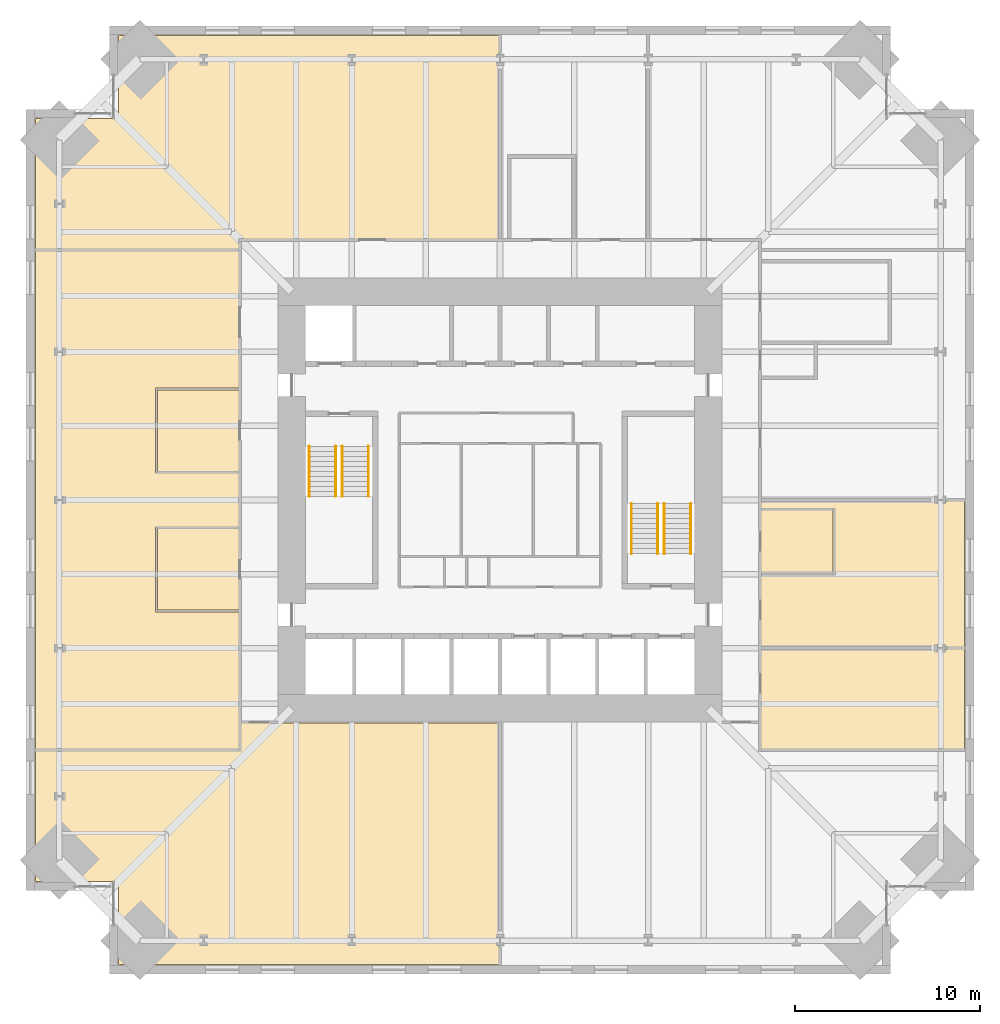
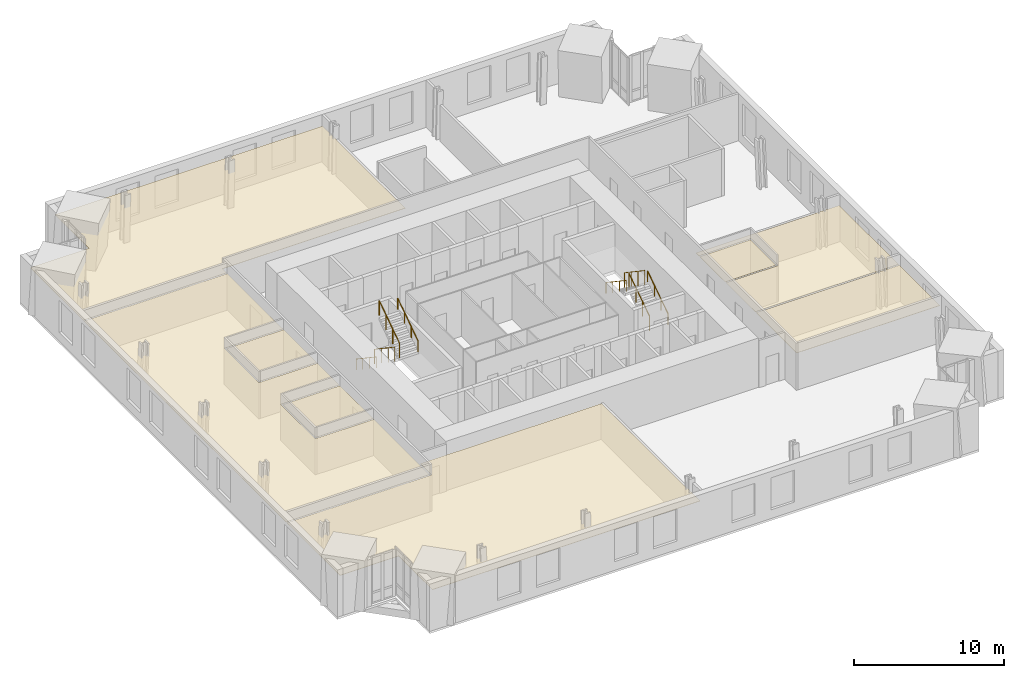
# One storey, part 18 of 18: 8 coverings, 8 railings.
"""IFC4 building model written with IfcOpenShell, lengths in metres."""

from ifc_helpers import new_model, si_unit, direction, frame, origin, origin_2d, place, context, subcontext, project, spatial, polyline, circle, outline, extrude, material, layer, layer_set, type_object, element, save


model = new_model("IFC4")

# Units and contexts
model_context = context("Model", 3, precision=1e-05, world=origin(), true_north=direction((0.0, 1.0)))
body_context = subcontext(model_context, "Body", "Model", "MODEL_VIEW")
ifc_project = project(units=[si_unit("LENGTHUNIT", "METRE"), si_unit("AREAUNIT", "SQUARE_METRE"), si_unit("VOLUMEUNIT", "CUBIC_METRE"), si_unit("PLANEANGLEUNIT", "RADIAN"), si_unit("MASSUNIT", "GRAM", prefix="KILO")], contexts=[model_context])

# Site, building, storey
site_placement = place(None, origin())
site = spatial("IfcSite", under=ifc_project, at=site_placement, CompositionType="ELEMENT")
building_placement = place(site_placement, origin())
building = spatial("IfcBuilding", under=site, at=building_placement, Name="Peilmerk Tower", CompositionType="ELEMENT")
storey_placement = place(building_placement, frame((0.0, 0.0, 175.800048828125)))
storey = spatial("IfcBuildingStorey", under=building, at=storey_placement, Name="L37", CompositionType="ELEMENT", Elevation=175.800048828125)

# Coverings
ifc_material_1 = material(Name="Mineral fibre ceiling tiles", Category="mineral")
ifc_layer = layer(ifc_material_1, 0.02490234375)
ifc_layer_set = layer_set([ifc_layer], Name="Mineral fibre ceiling tiles")
covering_type = type_object("IfcCoveringType", Name="CL1 25 suspended ceiling", PredefinedType="CEILING", material=ifc_layer_set)
covering_1_placement = place(storey_placement, frame((0.0, 0.0, 2.905029296875)))
element("IfcCovering", 1, at=covering_1_placement, inside=storey, type_object=covering_type, Name="Suspended ceiling Fitness room", PredefinedType="CEILING", context=body_context, shape_type="SweptSolid", body=[
    extrude(outline(polyline([(-25.10009765625, 20.60009765625), (-25.10009765625, 13.550048828125), (-14.10009765625, 13.550048828125), (-14.10009765625, 14.10009765625), (-0.050048828125, 14.10009765625), (-0.050048828125, 25.10009765625), (-20.60009765625, 25.10009765625), (-20.60009765625, 20.60009765625), (-25.10009765625, 20.60009765625)])), origin(), (0.0, 0.0, 1.0), 0.02490234375),
])
covering_2_placement = place(storey_placement, frame((0.0, 0.0, 2.905029296875)))
element("IfcCovering", 2, at=covering_2_placement, inside=storey, type_object=covering_type, Name="Suspended ceiling Library", PredefinedType="CEILING", context=body_context, shape_type="SweptSolid", body=[
    extrude(outline(polyline([(-20.60009765625, -25.10009765625), (-0.050048828125, -25.10009765625), (-0.050048828125, -12.050048828125), (-14.0, -12.050048828125), (-14.0, -13.550048828125), (-25.10009765625, -13.550048828125), (-25.10009765625, -20.60009765625), (-20.60009765625, -20.60009765625), (-20.60009765625, -25.10009765625)])), origin(), (0.0, 0.0, 1.0), 0.02490234375),
])
covering_3_placement = place(storey_placement, frame((0.0, 0.0, 2.905029296875)))
element("IfcCovering", 3, at=covering_3_placement, inside=storey, type_object=covering_type, Name="Suspended ceiling Wellness room", PredefinedType="CEILING", context=body_context, shape_type="SweptSolid", body=[
    extrude(outline(polyline([(25.10009765625, -13.449951171875), (25.10009765625, -8.050048828125), (14.10009765625, -8.050048828125), (14.10009765625, -13.449951171875), (25.10009765625, -13.449951171875)])), origin(), (0.0, 0.0, 1.0), 0.02490234375),
])
covering_4_placement = place(storey_placement, frame((0.0, 0.0, 2.905029296875)))
element("IfcCovering", 4, at=covering_4_placement, inside=storey, type_object=covering_type, Name="Suspended ceiling Quiet room", PredefinedType="CEILING", context=body_context, shape_type="SweptSolid", body=[
    extrude(outline(polyline([(14.10009765625, -7.949951171875), (25.10009765625, -7.949951171875), (25.10009765625, -0.050048828125), (14.10009765625, -0.050048828125), (14.10009765625, -0.449951171875), (18.10009765625, -0.449951171875), (18.10009765625, -4.050048828125), (14.10009765625, -4.050048828125), (14.10009765625, -7.949951171875)])), origin(), (0.0, 0.0, 1.0), 0.02490234375),
])
covering_5_placement = place(storey_placement, frame((0.0, 0.0, 2.905029296875)))
element("IfcCovering", 5, at=covering_5_placement, inside=storey, type_object=covering_type, Name="Suspended ceiling Pantry", PredefinedType="CEILING", context=body_context, shape_type="SweptSolid", body=[
    extrude(outline(polyline([(18.0, -3.949951171875), (18.0, -0.550048828125), (14.10009765625, -0.550048828125), (14.10009765625, -3.949951171875), (18.0, -3.949951171875)])), origin(), (0.0, 0.0, 1.0), 0.02490234375),
])
covering_6_placement = place(storey_placement, frame((0.0, 0.0, 2.905029296875)))
element("IfcCovering", 6, at=covering_6_placement, inside=storey, type_object=covering_type, Name="Suspended ceiling Open workspace", PredefinedType="CEILING", context=body_context, shape_type="SweptSolid", body=[
    extrude(outline(polyline([(-14.10009765625, 13.449951171875), (-25.10009765625, 13.449951171875), (-25.10009765625, -13.449951171875), (-14.10009765625, -13.449951171875), (-14.10009765625, -6.050048828125), (-18.60009765625, -6.050048828125), (-18.60009765625, -1.449951171875), (-14.10009765625, -1.449951171875), (-14.10009765625, 1.449951171875), (-18.60009765625, 1.449951171875), (-18.60009765625, 6.050048828125), (-14.10009765625, 6.050048828125), (-14.10009765625, 13.449951171875)])), origin(), (0.0, 0.0, 1.0), 0.02490234375),
])
covering_7_placement = place(storey_placement, frame((0.0, 0.0, 2.905029296875)))
element("IfcCovering", 7, at=covering_7_placement, inside=storey, type_object=covering_type, Name="Suspended ceiling Meeting room", PredefinedType="CEILING", context=body_context, shape_type="SweptSolid", body=[
    extrude(outline(polyline([(-14.10009765625, -5.949951171875), (-14.10009765625, -1.550048828125), (-18.5, -1.550048828125), (-18.5, -5.949951171875), (-14.10009765625, -5.949951171875)])), origin(), (0.0, 0.0, 1.0), 0.02490234375),
])
covering_8_placement = place(storey_placement, frame((0.0, 0.0, 2.905029296875)))
element("IfcCovering", 8, at=covering_8_placement, inside=storey, type_object=covering_type, Name="Suspended ceiling Focus room", PredefinedType="CEILING", context=body_context, shape_type="SweptSolid", body=[
    extrude(outline(polyline([(-14.10009765625, 1.550048828125), (-14.10009765625, 5.949951171875), (-18.5, 5.949951171875), (-18.5, 1.550048828125), (-14.10009765625, 1.550048828125)])), origin(), (0.0, 0.0, 1.0), 0.02490234375),
])

# Railings
ifc_material_2 = material(Name="Steel flat bar balustrade", Category="steel")
railing_type_1 = type_object("IfcRailingType", Name="GR1 1200 stair guard", PredefinedType="GUARDRAIL", material=ifc_material_2)
railing_1_placement = place(storey_placement, frame((-8.8798828125, 2.89990234375, 0.181884765625)))
element("IfcRailing", 9, at=railing_1_placement, inside=storey, type_object=railing_type_1, Name="Guard stair 1 L37", PredefinedType="GUARDRAIL", context=body_context, shape_type="SweptSolid", body=[
    extrude(circle(Radius=0.02392578125, at=origin_2d()), frame((0.0, 0.0, 1.17578125), z_axis=(0.0, -0.829468130872, 0.55855404382), x_axis=(1.0, 0.0, 0.0)), (0.0, 0.0, 1.0), 3.255126953125),
    extrude(circle(Radius=0.02099609375, at=origin_2d()), origin(), (0.0, 0.0, 1.0), 1.15185546875),
    extrude(circle(Radius=0.02099609375, at=origin_2d()), frame((0.0, -0.89990234375, 0.60595703125)), (0.0, 0.0, 1.0), 1.15185546875),
    extrude(circle(Radius=0.02099609375, at=origin_2d()), frame((0.0, -1.800048828125, 1.212158203125)), (0.0, 0.0, 1.0), 1.15185546875),
    extrude(circle(Radius=0.02099609375, at=origin_2d()), frame((0.0, -2.699951171875, 1.818115234375)), (0.0, 0.0, 1.0), 1.15185546875),
])
for number, where, name in (
    (10, (-8.52001953125, 0.199951171875, 2.181884765625), "Guard stair 1 L37"),
    (11, (8.8798828125, -2.89990234375, 0.181884765625), "Guard stair 2 L37"),
):
    element("IfcRailing", number, at=place(storey_placement, frame(where)), inside=storey, type_object=railing_type_1, Name=name, PredefinedType="GUARDRAIL", context=body_context, shape_type="SweptSolid", body=[
        extrude(circle(Radius=0.02392578125, at=origin_2d()), frame((0.0, 0.0, 1.17578125), z_axis=(0.0, 0.829468130872, 0.55855404382), x_axis=(-1.0, 0.0, 0.0)), (0.0, 0.0, 1.0), 3.255126953125),
        extrude(circle(Radius=0.02099609375, at=origin_2d()), origin(), (0.0, 0.0, 1.0), 1.15185546875),
        extrude(circle(Radius=0.02099609375, at=origin_2d()), frame((0.0, 0.89990234375, 0.60595703125)), (0.0, 0.0, 1.0), 1.15185546875),
        extrude(circle(Radius=0.02099609375, at=origin_2d()), frame((0.0, 1.800048828125, 1.212158203125)), (0.0, 0.0, 1.0), 1.15185546875),
        extrude(circle(Radius=0.02099609375, at=origin_2d()), frame((0.0, 2.699951171875, 1.818115234375)), (0.0, 0.0, 1.0), 1.15185546875),
    ])
railing_2_placement = place(storey_placement, frame((8.52001953125, -0.199951171875, 2.181884765625)))
element("IfcRailing", 12, at=railing_2_placement, inside=storey, type_object=railing_type_1, Name="Guard stair 2 L37", PredefinedType="GUARDRAIL", context=body_context, shape_type="SweptSolid", body=[
    extrude(circle(Radius=0.02392578125, at=origin_2d()), frame((0.0, 0.0, 1.17578125), z_axis=(0.0, -0.829468130872, 0.55855404382), x_axis=(1.0, 0.0, 0.0)), (0.0, 0.0, 1.0), 3.255126953125),
    extrude(circle(Radius=0.02099609375, at=origin_2d()), origin(), (0.0, 0.0, 1.0), 1.15185546875),
    extrude(circle(Radius=0.02099609375, at=origin_2d()), frame((0.0, -0.89990234375, 0.60595703125)), (0.0, 0.0, 1.0), 1.15185546875),
    extrude(circle(Radius=0.02099609375, at=origin_2d()), frame((0.0, -1.800048828125, 1.212158203125)), (0.0, 0.0, 1.0), 1.15185546875),
    extrude(circle(Radius=0.02099609375, at=origin_2d()), frame((0.0, -2.699951171875, 1.818115234375)), (0.0, 0.0, 1.0), 1.15185546875),
])
ifc_material_3 = material(Name="Stainless steel tube", Category="steel")
railing_type_2 = type_object("IfcRailingType", Name="HR1 900 stair handrail", PredefinedType="HANDRAIL", material=ifc_material_3)
railing_3_placement = place(storey_placement, frame((-10.300048828125, 2.89990234375, 0.181884765625)))
element("IfcRailing", 13, at=railing_3_placement, inside=storey, type_object=railing_type_2, Name="Handrail stair 1 L37", PredefinedType="HANDRAIL", context=body_context, shape_type="SweptSolid", body=[
    extrude(circle(Radius=0.02392578125, at=origin_2d()), frame((0.0, 0.0, 0.8759765625), z_axis=(0.0, -0.829468130872, 0.55855404382), x_axis=(1.0, 0.0, 0.0)), (0.0, 0.0, 1.0), 3.255126953125),
    extrude(circle(Radius=0.02099609375, at=origin_2d()), origin(), (0.0, 0.0, 1.0), 0.851806640625),
    extrude(circle(Radius=0.02099609375, at=origin_2d()), frame((0.0, -0.89990234375, 0.60595703125)), (0.0, 0.0, 1.0), 0.851806640625),
    extrude(circle(Radius=0.02099609375, at=origin_2d()), frame((0.0, -1.800048828125, 1.212158203125)), (0.0, 0.0, 1.0), 0.851806640625),
    extrude(circle(Radius=0.02099609375, at=origin_2d()), frame((0.0, -2.699951171875, 1.818115234375)), (0.0, 0.0, 1.0), 0.851806640625),
])
for number, where, name in (
    (14, (-7.10009765625, 0.199951171875, 2.181884765625), "Handrail stair 1 L37"),
    (15, (10.300048828125, -2.89990234375, 0.181884765625), "Handrail stair 2 L37"),
):
    element("IfcRailing", number, at=place(storey_placement, frame(where)), inside=storey, type_object=railing_type_2, Name=name, PredefinedType="HANDRAIL", context=body_context, shape_type="SweptSolid", body=[
        extrude(circle(Radius=0.02392578125, at=origin_2d()), frame((0.0, 0.0, 0.8759765625), z_axis=(0.0, 0.829468130872, 0.55855404382), x_axis=(-1.0, 0.0, 0.0)), (0.0, 0.0, 1.0), 3.255126953125),
        extrude(circle(Radius=0.02099609375, at=origin_2d()), origin(), (0.0, 0.0, 1.0), 0.851806640625),
        extrude(circle(Radius=0.02099609375, at=origin_2d()), frame((0.0, 0.89990234375, 0.60595703125)), (0.0, 0.0, 1.0), 0.851806640625),
        extrude(circle(Radius=0.02099609375, at=origin_2d()), frame((0.0, 1.800048828125, 1.212158203125)), (0.0, 0.0, 1.0), 0.851806640625),
        extrude(circle(Radius=0.02099609375, at=origin_2d()), frame((0.0, 2.699951171875, 1.818115234375)), (0.0, 0.0, 1.0), 0.851806640625),
    ])
railing_4_placement = place(storey_placement, frame((7.10009765625, -0.199951171875, 2.181884765625)))
element("IfcRailing", 16, at=railing_4_placement, inside=storey, type_object=railing_type_2, Name="Handrail stair 2 L37", PredefinedType="HANDRAIL", context=body_context, shape_type="SweptSolid", body=[
    extrude(circle(Radius=0.02392578125, at=origin_2d()), frame((0.0, 0.0, 0.8759765625), z_axis=(0.0, -0.829468130872, 0.55855404382), x_axis=(1.0, 0.0, 0.0)), (0.0, 0.0, 1.0), 3.255126953125),
    extrude(circle(Radius=0.02099609375, at=origin_2d()), origin(), (0.0, 0.0, 1.0), 0.851806640625),
    extrude(circle(Radius=0.02099609375, at=origin_2d()), frame((0.0, -0.89990234375, 0.60595703125)), (0.0, 0.0, 1.0), 0.851806640625),
    extrude(circle(Radius=0.02099609375, at=origin_2d()), frame((0.0, -1.800048828125, 1.212158203125)), (0.0, 0.0, 1.0), 0.851806640625),
    extrude(circle(Radius=0.02099609375, at=origin_2d()), frame((0.0, -2.699951171875, 1.818115234375)), (0.0, 0.0, 1.0), 0.851806640625),
])

save(model, "model.ifc")
